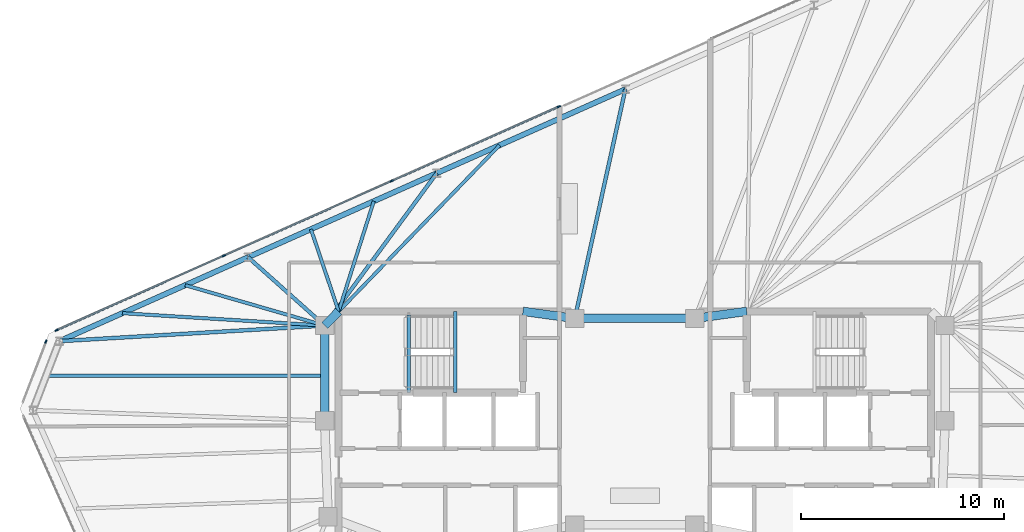
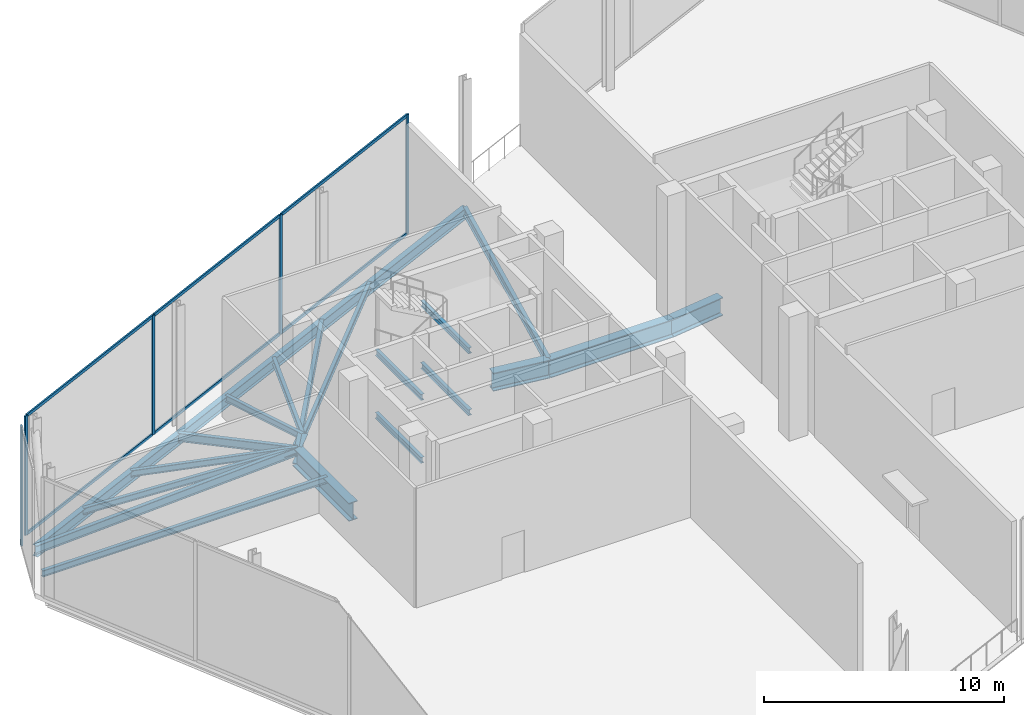
# One storey, part 10 of 16: 22 beams, 11 members, 2 elements without a shape of their own.
"""IFC4 building model written with IfcOpenShell, lengths in metres."""

from ifc_helpers import new_model, si_unit, direction, frame, origin, origin_2d, place, context, subcontext, project, spatial, rectangle, i_section, extrude, material, material_profile, profile_set, type_object, element, aggregate, save


model = new_model("IFC4")

# Units and contexts
model_context = context("Model", 3, precision=1e-05, world=origin(), true_north=direction((0.0, 1.0)))
body_context = subcontext(model_context, "Body", "Model", "MODEL_VIEW")
ifc_project = project(units=[si_unit("LENGTHUNIT", "METRE"), si_unit("AREAUNIT", "SQUARE_METRE"), si_unit("VOLUMEUNIT", "CUBIC_METRE"), si_unit("PLANEANGLEUNIT", "RADIAN"), si_unit("MASSUNIT", "GRAM", prefix="KILO")], contexts=[model_context])

# Site, building, storey
site_placement = place(None, origin())
site = spatial("IfcSite", under=ifc_project, at=site_placement, CompositionType="ELEMENT")
building_placement = place(site_placement, origin())
building = spatial("IfcBuilding", under=site, at=building_placement, Name="Menara Jurai Vektor", CompositionType="ELEMENT")
storey_placement = place(building_placement, frame((0.0, 0.0, 275.60009765625)))
storey = spatial("IfcBuildingStorey", under=building, at=storey_placement, Name="L74", CompositionType="ELEMENT", Elevation=275.60009765625)

# Curtain wall, members
ifc_material_1 = material(Name="Anodised Pale Aluminium & Low-E Double Glazing", Category="aluminium")
curtain_wall_type = type_object("IfcCurtainWallType", Name="CW-BLK5", PredefinedType="NOTDEFINED", material=ifc_material_1)
curtain_wall_1_placement = place(storey_placement, origin())
curtain_wall_1 = element("IfcCurtainWall", 1, at=curtain_wall_1_placement, inside=storey, type_object=curtain_wall_type, Name="Unitised Curtain Wall L74 W1-02", PredefinedType="NOTDEFINED")
ifc_material_2 = material(Name="Anodised Pale Aluminium Mullion", Category="aluminium")
ifc_material_profile_1 = material_profile(ifc_material_2, rectangle(XDim=0.074951171875, YDim=0.175048828125, at=origin_2d()), Name="ALU MUL 75x175")
ifc_profile_set_1 = profile_set([ifc_material_profile_1], Name="Anodised Pale Aluminium Mullion")
member_type_1 = type_object("IfcMemberType", Name="CW-BLK5-MUL", PredefinedType="MULLION", material=ifc_profile_set_1)
member_1_placement = place(storey_placement, frame((-3.734375, 15.6669921875, 0.0), z_axis=(0.0, 0.0, 1.0), x_axis=(0.406736118984, -0.913545690983, 0.0)))
member_1 = element("IfcMember", 2, at=member_1_placement, type_object=member_type_1, Name="CW-05 mullion 1", PredefinedType="MULLION", context=body_context, shape_type="SweptSolid", body=[
    extrude(rectangle(XDim=0.074951171875, YDim=0.175048828125, at=origin_2d()), origin(), (0.0, 0.0, 1.0), 6.074951171875),
])
member_2_placement = place(storey_placement, frame((-11.952880859375, 12.0078125, 0.0), z_axis=(0.0, 0.0, 1.0), x_axis=(0.406736118984, -0.913545690983, 0.0)))
member_2 = element("IfcMember", 3, at=member_2_placement, type_object=member_type_1, Name="CW-05 mullion 2", PredefinedType="MULLION", context=body_context, shape_type="SweptSolid", body=[
    extrude(rectangle(XDim=0.074951171875, YDim=0.175048828125, at=origin_2d()), origin(), (0.0, 0.0, 1.0), 6.074951171875),
])
member_3_placement = place(storey_placement, frame((-20.2060546875, 8.333251953125, 0.0), z_axis=(0.0, 0.0, 1.0), x_axis=(0.406736118984, -0.913545690983, 0.0)))
member_3 = element("IfcMember", 4, at=member_3_placement, type_object=member_type_1, Name="CW-05 mullion 3", PredefinedType="MULLION", context=body_context, shape_type="SweptSolid", body=[
    extrude(rectangle(XDim=0.074951171875, YDim=0.175048828125, at=origin_2d()), origin(), (0.0, 0.0, 1.0), 6.074951171875),
])
member_4_placement = place(storey_placement, frame((-28.4248046875, 4.674072265625, 0.0), z_axis=(0.0, 0.0, 1.0), x_axis=(0.406736118984, -0.913545690983, 0.0)))
member_4 = element("IfcMember", 5, at=member_4_placement, type_object=member_type_1, Name="CW-05 mullion 4", PredefinedType="MULLION", context=body_context, shape_type="SweptSolid", body=[
    extrude(rectangle(XDim=0.074951171875, YDim=0.175048828125, at=origin_2d()), origin(), (0.0, 0.0, 1.0), 6.074951171875),
])

# Curtain wall, member
curtain_wall_2_placement = place(storey_placement, origin())
curtain_wall_2 = element("IfcCurtainWall", 6, at=curtain_wall_2_placement, inside=storey, type_object=curtain_wall_type, Name="Unitised Curtain Wall L74 W1-03", PredefinedType="NOTDEFINED")
member_5_placement = place(storey_placement, frame((-28.955810546875, 4.114501953125, 0.0), z_axis=(0.0, 0.0, 1.0), x_axis=(0.933578193639, -0.358373766287, 0.0)))
member_5 = element("IfcMember", 7, at=member_5_placement, type_object=member_type_1, Name="CW-05 mullion 1", PredefinedType="MULLION", context=body_context, shape_type="SweptSolid", body=[
    extrude(rectangle(XDim=0.074951171875, YDim=0.175048828125, at=origin_2d()), origin(), (0.0, 0.0, 1.0), 6.074951171875),
])
aggregate(curtain_wall_2, [member_5])

# Member
ifc_material_3 = material(Name="Anodised Pale Aluminium Transom", Category="aluminium")
ifc_material_profile_2 = material_profile(ifc_material_3, rectangle(XDim=0.074951171875, YDim=0.155029296875, at=origin_2d()), Name="ALU TRN 75x155")
ifc_profile_set_2 = profile_set([ifc_material_profile_2], Name="Anodised Pale Aluminium Transom")
member_type_2 = type_object("IfcMemberType", Name="CW-BLK5-TRN", PredefinedType="USERDEFINED", material=ifc_profile_set_2)
member_6_placement = place(storey_placement, frame((-3.7685546875, 15.651611328125, 0.037353515625), z_axis=(-0.913546161305, -0.406735062621, 0.0), x_axis=(0.406735062621, -0.913546161305, 0.0)))
member_6 = element("IfcMember", 8, at=member_6_placement, type_object=member_type_2, Name="CW-05 transom 1.1", ObjectType="TRANSOM", PredefinedType="USERDEFINED", context=body_context, shape_type="SweptSolid", body=[
    extrude(rectangle(XDim=0.074951171875, YDim=0.155029296875, at=origin_2d()), origin(), (0.0, 0.0, 1.0), 8.92138671875),
])

member_7_placement = place(storey_placement, frame((-3.7685546875, 15.651611328125, 6.037353515625), z_axis=(-0.913546161305, -0.406735062621, 0.0), x_axis=(0.406735062621, -0.913546161305, 0.0)))
member_7 = element("IfcMember", 9, at=member_7_placement, type_object=member_type_2, Name="CW-05 transom 1.2", ObjectType="TRANSOM", PredefinedType="USERDEFINED", context=body_context, shape_type="SweptSolid", body=[
    extrude(rectangle(XDim=0.074951171875, YDim=0.155029296875, at=origin_2d()), origin(), (0.0, 0.0, 1.0), 8.92138671875),
])

member_8_placement = place(storey_placement, frame((-11.9873046875, 11.992431640625, 0.037353515625), z_axis=(-0.913549520277, -0.406727518126, 0.0), x_axis=(0.406727518126, -0.913549520277, 0.0)))
member_8 = element("IfcMember", 10, at=member_8_placement, type_object=member_type_2, Name="CW-05 transom 2.1", ObjectType="TRANSOM", PredefinedType="USERDEFINED", context=body_context, shape_type="SweptSolid", body=[
    extrude(rectangle(XDim=0.074951171875, YDim=0.155029296875, at=origin_2d()), origin(), (0.0, 0.0, 1.0), 8.958740234375),
])

member_9_placement = place(storey_placement, frame((-11.9873046875, 11.992431640625, 6.037353515625), z_axis=(-0.913549520277, -0.406727518126, 0.0), x_axis=(0.406727518126, -0.913549520277, 0.0)))
member_9 = element("IfcMember", 11, at=member_9_placement, type_object=member_type_2, Name="CW-05 transom 2.2", ObjectType="TRANSOM", PredefinedType="USERDEFINED", context=body_context, shape_type="SweptSolid", body=[
    extrude(rectangle(XDim=0.074951171875, YDim=0.155029296875, at=origin_2d()), origin(), (0.0, 0.0, 1.0), 8.958740234375),
])

member_10_placement = place(storey_placement, frame((-20.240234375, 8.318115234375, 0.037353515625), z_axis=(-0.913535992858, -0.406757900663, 0.0), x_axis=(0.406757900663, -0.913535992858, 0.0)))
member_10 = element("IfcMember", 12, at=member_10_placement, type_object=member_type_2, Name="CW-05 transom 3.1", ObjectType="TRANSOM", PredefinedType="USERDEFINED", context=body_context, shape_type="SweptSolid", body=[
    extrude(rectangle(XDim=0.074951171875, YDim=0.155029296875, at=origin_2d()), origin(), (0.0, 0.0, 1.0), 8.921630859375),
])

member_11_placement = place(storey_placement, frame((-20.240234375, 8.318115234375, 6.037353515625), z_axis=(-0.913535992858, -0.406757900663, 0.0), x_axis=(0.406757900663, -0.913535992858, 0.0)))
member_11 = element("IfcMember", 13, at=member_11_placement, type_object=member_type_2, Name="CW-05 transom 3.2", ObjectType="TRANSOM", PredefinedType="USERDEFINED", context=body_context, shape_type="SweptSolid", body=[
    extrude(rectangle(XDim=0.074951171875, YDim=0.155029296875, at=origin_2d()), origin(), (0.0, 0.0, 1.0), 8.921630859375),
])

aggregate(curtain_wall_1, [member_1, member_2, member_3, member_4, member_6, member_7, member_8, member_9, member_10, member_11])

# Beams
ifc_material_4 = material(Name="Steel S355", Category="steel")
ifc_material_profile_3 = material_profile(ifc_material_4, i_section(OverallWidth=0.18505859375, OverallDepth=0.429931640625, WebThickness=0.010986328125, FlangeThickness=0.01806640625, at=origin_2d()), Name="PG 430x185x76")
ifc_profile_set_3 = profile_set([ifc_material_profile_3], Name="Steel S355")
beam_type_1 = type_object("IfcBeamType", Name="STR-BM-430", PredefinedType="BEAM", material=ifc_profile_set_3)
beam_1_placement = place(storey_placement, frame((-0.467529296875, 16.519287109375, -0.465087890625), z_axis=(-0.215124522255, -0.976586626943, 0.0), x_axis=(0.976586626943, -0.215124522255, 0.0)))
element("IfcBeam", 14, at=beam_1_placement, inside=storey, type_object=beam_type_1, Name="Radial Floor Girder L74-N3", PredefinedType="BEAM", context=body_context, shape_type="SweptSolid", body=[
    extrude(i_section(OverallWidth=0.18505859375, OverallDepth=0.429931640625, WebThickness=0.010986328125, FlangeThickness=0.01806640625, at=origin_2d()), origin(), (0.0, 0.0, 1.0), 11.53955078125),
])
beam_2_placement = place(storey_placement, frame((-9.740966796875, 12.390380859375, -0.465087890625), z_axis=(-0.592483178081, -0.805582822366, 0.0), x_axis=(0.805582822366, -0.592483178081, 0.0)))
element("IfcBeam", 15, at=beam_2_placement, inside=storey, type_object=beam_type_1, Name="Radial Floor Girder L74-N4", PredefinedType="BEAM", context=body_context, shape_type="SweptSolid", body=[
    extrude(i_section(OverallWidth=0.18505859375, OverallDepth=0.429931640625, WebThickness=0.010986328125, FlangeThickness=0.01806640625, at=origin_2d()), origin(), (0.0, 0.0, 1.0), 9.298095703125),
])
beam_3_placement = place(storey_placement, frame((-19.0146484375, 8.26171875, -0.465087890625), z_axis=(0.745886163995, -0.666073442167, 0.0), x_axis=(0.666073442167, 0.745886163995, 0.0)))
element("IfcBeam", 16, at=beam_3_placement, inside=storey, type_object=beam_type_1, Name="Radial Floor Girder L74-N5", PredefinedType="BEAM", context=body_context, shape_type="SweptSolid", body=[
    extrude(i_section(OverallWidth=0.18505859375, OverallDepth=0.429931640625, WebThickness=0.010986328125, FlangeThickness=0.01806640625, at=origin_2d()), origin(), (0.0, 0.0, 1.0), 5.047119140625),
])
beam_4_placement = place(storey_placement, frame((-28.2880859375, 4.1328125, -0.465087890625), z_axis=(0.998273728533, 0.058732979834, 0.0), x_axis=(-0.058732979834, 0.998273728533, 0.0)))
element("IfcBeam", 17, at=beam_4_placement, inside=storey, type_object=beam_type_1, Name="Radial Floor Girder L74-N6", PredefinedType="BEAM", context=body_context, shape_type="SweptSolid", body=[
    extrude(i_section(OverallWidth=0.18505859375, OverallDepth=0.429931640625, WebThickness=0.010986328125, FlangeThickness=0.01806640625, at=origin_2d()), origin(), (0.0, 0.0, 1.0), 13.060546875),
])
ifc_material_5 = material(Name="Steel S460", Category="steel")
ifc_material_profile_4 = material_profile(ifc_material_5, i_section(OverallWidth=0.4208984375, OverallDepth=0.9208984375, WebThickness=0.02099609375, FlangeThickness=0.037109375, FilletRadius=0.02392578125, at=origin_2d()), Name="UKB 914x419x388")
ifc_profile_set_4 = profile_set([ifc_material_profile_4], Name="Steel S460")
beam_type_2 = type_object("IfcBeamType", Name="STR-BM-TR914", PredefinedType="BEAM", material=ifc_profile_set_4)
beam_5_placement = place(storey_placement, frame((-15.25, 4.89990234375, -0.710693359375), z_axis=(0.701871936926, 0.712303154672, 0.0), x_axis=(-0.712303154672, 0.701871936926, 0.0)))
element("IfcBeam", 18, at=beam_5_placement, inside=storey, type_object=beam_type_2, Name="Core Ring Header Girder L74-CHW-N1", PredefinedType="BEAM", context=body_context, shape_type="SweptSolid", body=[
    extrude(i_section(OverallWidth=0.4208984375, OverallDepth=0.9208984375, WebThickness=0.02099609375, FlangeThickness=0.037109375, FilletRadius=0.02392578125, at=origin_2d()), origin(), (0.0, 0.0, 1.0), 0.98291015625),
])
beam_6_placement = place(storey_placement, frame((-5.5, 5.60009765625, -0.710693359375), z_axis=(0.990706818608, -0.136014703483, 0.0), x_axis=(0.136014703483, 0.990706818608, 0.0)))
element("IfcBeam", 19, at=beam_6_placement, inside=storey, type_object=beam_type_2, Name="Core Ring Header Girder L74-CHW-N2", PredefinedType="BEAM", context=body_context, shape_type="SweptSolid", body=[
    extrude(i_section(OverallWidth=0.4208984375, OverallDepth=0.9208984375, WebThickness=0.02099609375, FlangeThickness=0.037109375, FilletRadius=0.02392578125, at=origin_2d()), origin(), (0.0, 0.0, 1.0), 2.573974609375),
])
beam_7_placement = place(storey_placement, frame((-15.25, 0.219970703125, -0.710693359375), z_axis=(0.0, 1.0, 0.0), x_axis=(-1.0, 0.0, 0.0)))
element("IfcBeam", 20, at=beam_7_placement, inside=storey, type_object=beam_type_2, Name="Core Ring Header Girder L74-CHW-W1", PredefinedType="BEAM", context=body_context, shape_type="SweptSolid", body=[
    extrude(i_section(OverallWidth=0.4208984375, OverallDepth=0.9208984375, WebThickness=0.02099609375, FlangeThickness=0.037109375, FilletRadius=0.02392578125, at=origin_2d()), origin(), (0.0, 0.0, 1.0), 4.679931640625),
])
beam_8_placement = place(storey_placement, frame((2.949951171875, 5.25, -0.710693359375), z_axis=(0.990706818608, 0.136014703483, 0.0), x_axis=(-0.136014703483, 0.990706818608, 0.0)))
element("IfcBeam", 21, at=beam_8_placement, inside=storey, type_object=beam_type_2, Name="Core Ring Header Girder L74-CHE-N1", PredefinedType="BEAM", context=body_context, shape_type="SweptSolid", body=[
    extrude(i_section(OverallWidth=0.4208984375, OverallDepth=0.9208984375, WebThickness=0.02099609375, FlangeThickness=0.037109375, FilletRadius=0.02392578125, at=origin_2d()), origin(), (0.0, 0.0, 1.0), 2.573974609375),
])
beam_9_placement = place(storey_placement, frame((-2.949951171875, 5.25, -0.710693359375), z_axis=(1.0, 0.0, 0.0), x_axis=(0.0, 1.0, 0.0)))
element("IfcBeam", 22, at=beam_9_placement, inside=storey, type_object=beam_type_2, Name="Core Ring Header Girder L74-CC-2", PredefinedType="BEAM", context=body_context, shape_type="SweptSolid", body=[
    extrude(i_section(OverallWidth=0.4208984375, OverallDepth=0.9208984375, WebThickness=0.02099609375, FlangeThickness=0.037109375, FilletRadius=0.02392578125, at=origin_2d()), origin(), (0.0, 0.0, 1.0), 5.89990234375),
])
ifc_material_profile_5 = material_profile(ifc_material_4, i_section(OverallWidth=0.1650390625, OverallDepth=0.330078125, WebThickness=0.009033203125, FlangeThickness=0.013916015625, at=origin_2d()), Name="PG 330x165x46")
ifc_profile_set_5 = profile_set([ifc_material_profile_5], Name="Steel S355")
beam_type_3 = type_object("IfcBeamType", Name="STR-JS-330", PredefinedType="JOIST", material=ifc_profile_set_5)
beam_10_placement = place(storey_placement, frame((-6.64990234375, 13.766845703125, -0.4150390625), z_axis=(-0.695732556791, -0.718300918433, 0.0), x_axis=(0.718300918433, -0.695732556791, 0.0)))
element("IfcBeam", 23, at=beam_10_placement, inside=storey, type_object=beam_type_3, Name="Radial Secondary Floor Joist L74-JS16", PredefinedType="JOIST", context=body_context, shape_type="SweptSolid", body=[
    extrude(i_section(OverallWidth=0.1650390625, OverallDepth=0.330078125, WebThickness=0.009033203125, FlangeThickness=0.013916015625, at=origin_2d()), origin(), (0.0, 0.0, 1.0), 11.36962890625),
])
beam_11_placement = place(storey_placement, frame((-12.832275390625, 11.01416015625, -0.4150390625), z_axis=(-0.304022753529, -0.952664770702, 0.0), x_axis=(0.952664770702, -0.304022753529, 0.0)))
element("IfcBeam", 24, at=beam_11_placement, inside=storey, type_object=beam_type_3, Name="Radial Secondary Floor Joist L74-JS17", PredefinedType="JOIST", context=body_context, shape_type="SweptSolid", body=[
    extrude(i_section(OverallWidth=0.1650390625, OverallDepth=0.330078125, WebThickness=0.009033203125, FlangeThickness=0.013916015625, at=origin_2d()), origin(), (0.0, 0.0, 1.0), 5.68310546875),
])
beam_12_placement = place(storey_placement, frame((-15.92333984375, 9.637939453125, -0.4150390625), z_axis=(0.319885998438, -0.947456040143, 0.0), x_axis=(0.947456040143, 0.319885998438, 0.0)))
element("IfcBeam", 25, at=beam_12_placement, inside=storey, type_object=beam_type_3, Name="Radial Secondary Floor Joist L74-JS18", PredefinedType="JOIST", context=body_context, shape_type="SweptSolid", body=[
    extrude(i_section(OverallWidth=0.1650390625, OverallDepth=0.330078125, WebThickness=0.009033203125, FlangeThickness=0.013916015625, at=origin_2d()), origin(), (0.0, 0.0, 1.0), 4.26171875),
])
beam_13_placement = place(storey_placement, frame((-22.105712890625, 6.885498046875, -0.4150390625), z_axis=(0.960525066064, -0.278193453306, 0.0), x_axis=(0.278193453306, 0.960525066064, 0.0)))
element("IfcBeam", 26, at=beam_13_placement, inside=storey, type_object=beam_type_3, Name="Radial Secondary Floor Joist L74-JS19", PredefinedType="JOIST", context=body_context, shape_type="SweptSolid", body=[
    extrude(i_section(OverallWidth=0.1650390625, OverallDepth=0.330078125, WebThickness=0.009033203125, FlangeThickness=0.013916015625, at=origin_2d()), origin(), (0.0, 0.0, 1.0), 7.137451171875),
])
beam_14_placement = place(storey_placement, frame((-25.197021484375, 5.509033203125, -0.4150390625), z_axis=(0.998130240593, -0.061123013776, 0.0), x_axis=(0.061123013776, 0.998130240593, 0.0)))
element("IfcBeam", 27, at=beam_14_placement, inside=storey, type_object=beam_type_3, Name="Radial Secondary Floor Joist L74-JS20", PredefinedType="JOIST", context=body_context, shape_type="SweptSolid", body=[
    extrude(i_section(OverallWidth=0.1650390625, OverallDepth=0.330078125, WebThickness=0.009033203125, FlangeThickness=0.013916015625, at=origin_2d()), origin(), (0.0, 0.0, 1.0), 9.965576171875),
])
beam_15_placement = place(storey_placement, frame((-28.93994140625, 2.434814453125, -0.4150390625), z_axis=(1.0, 0.0, 0.0), x_axis=(0.0, 1.0, 0.0)))
element("IfcBeam", 28, at=beam_15_placement, inside=storey, type_object=beam_type_3, Name="Radial Secondary Floor Joist L74-JS21", PredefinedType="JOIST", context=body_context, shape_type="SweptSolid", body=[
    extrude(i_section(OverallWidth=0.1650390625, OverallDepth=0.330078125, WebThickness=0.009033203125, FlangeThickness=0.013916015625, at=origin_2d()), origin(), (0.0, 0.0, 1.0), 13.68994140625),
])
ifc_material_profile_6 = material_profile(ifc_material_4, i_section(OverallWidth=0.1650390625, OverallDepth=0.302978515625, WebThickness=0.006103515625, FlangeThickness=0.010009765625, FilletRadius=0.009033203125, at=origin_2d()), Name="UKB 305x165x40")
ifc_profile_set_6 = profile_set([ifc_material_profile_6], Name="Steel S355")
beam_type_4 = type_object("IfcBeamType", Name="STR-LN-305", PredefinedType="LINTEL", material=ifc_profile_set_6)
beam_16_placement = place(storey_placement, frame((-11.1201171875, 1.60009765625, -0.401611328125), z_axis=(0.0, 1.0, 0.0), x_axis=(-1.0, 0.0, 0.0)))
element("IfcBeam", 29, at=beam_16_placement, inside=storey, type_object=beam_type_4, Name="Stair Well Floor Trimmer ST1 L74", PredefinedType="LINTEL", context=body_context, shape_type="SweptSolid", body=[
    extrude(i_section(OverallWidth=0.1650390625, OverallDepth=0.302978515625, WebThickness=0.006103515625, FlangeThickness=0.010009765625, FilletRadius=0.009033203125, at=origin_2d()), origin(), (0.0, 0.0, 1.0), 3.81982421875),
])
beam_17_placement = place(storey_placement, frame((-8.830078125, 1.60009765625, 1.223388671875), z_axis=(0.0, 1.0, 0.0), x_axis=(-1.0, 0.0, 0.0)))
element("IfcBeam", 30, at=beam_17_placement, inside=storey, type_object=beam_type_4, Name="Stair Half-Landing Nosing Trimmer ST1-1 L74", PredefinedType="LINTEL", context=body_context, shape_type="SweptSolid", body=[
    extrude(i_section(OverallWidth=0.1650390625, OverallDepth=0.302978515625, WebThickness=0.006103515625, FlangeThickness=0.010009765625, FilletRadius=0.009033203125, at=origin_2d()), origin(), (0.0, 0.0, 1.0), 4.0),
])
beam_18_placement = place(storey_placement, frame((-11.1201171875, 1.60009765625, 2.79833984375), z_axis=(0.0, 1.0, 0.0), x_axis=(-1.0, 0.0, 0.0)))
element("IfcBeam", 31, at=beam_18_placement, inside=storey, type_object=beam_type_4, Name="Stair Mid-Landing Trimmer ST1-MA L74", PredefinedType="LINTEL", context=body_context, shape_type="SweptSolid", body=[
    extrude(i_section(OverallWidth=0.1650390625, OverallDepth=0.302978515625, WebThickness=0.006103515625, FlangeThickness=0.010009765625, FilletRadius=0.009033203125, at=origin_2d()), origin(), (0.0, 0.0, 1.0), 3.81982421875),
])
beam_19_placement = place(storey_placement, frame((-8.830078125, 1.60009765625, 4.373291015625), z_axis=(0.0, 1.0, 0.0), x_axis=(-1.0, 0.0, 0.0)))
element("IfcBeam", 32, at=beam_19_placement, inside=storey, type_object=beam_type_4, Name="Stair Half-Landing Nosing Trimmer ST1-2 L74", PredefinedType="LINTEL", context=body_context, shape_type="SweptSolid", body=[
    extrude(i_section(OverallWidth=0.1650390625, OverallDepth=0.302978515625, WebThickness=0.006103515625, FlangeThickness=0.010009765625, FilletRadius=0.009033203125, at=origin_2d()), origin(), (0.0, 0.0, 1.0), 4.0),
])
ifc_material_profile_7 = material_profile(ifc_material_4, i_section(OverallWidth=0.260009765625, OverallDepth=0.570068359375, WebThickness=0.013916015625, FlangeThickness=0.02392578125, at=origin_2d()), Name="PG 570x260x145")
ifc_profile_set_7 = profile_set([ifc_material_profile_7], Name="Steel S355")
beam_type_5 = type_object("IfcBeamType", Name="STR-SP-570", PredefinedType="SPANDREL", material=ifc_profile_set_7)
for number, where, z_axis, x_axis, name in (
    (33, (-0.467529296875, 16.519287109375, -0.53515625), (-0.913541582548, -0.406745346568, 0.0), (0.406745346568, -0.913541582548, 0.0), "Exoskeleton Spandrel Beam L74-13"),
    (34, (-9.740966796875, 12.390380859375, -0.53515625), (-0.913554497648, -0.406716338284, 0.0), (0.406716338284, -0.913554497648, 0.0), "Exoskeleton Spandrel Beam L74-14"),
    (35, (-19.0146484375, 8.26171875, -0.53515625), (-0.913541582548, -0.406745346568, 0.0), (0.406745346568, -0.913541582548, 0.0), "Exoskeleton Spandrel Beam L74-15"),
):
    element("IfcBeam", number, at=place(storey_placement, frame(where, z_axis=z_axis, x_axis=x_axis)), inside=storey, type_object=beam_type_5, Name=name, PredefinedType="SPANDREL", context=body_context, shape_type="SweptSolid", body=[
        extrude(i_section(OverallWidth=0.260009765625, OverallDepth=0.570068359375, WebThickness=0.013916015625, FlangeThickness=0.02392578125, at=origin_2d()), origin(), (0.0, 0.0, 1.0), 10.151123046875),
    ])

save(model, "model.ifc")
